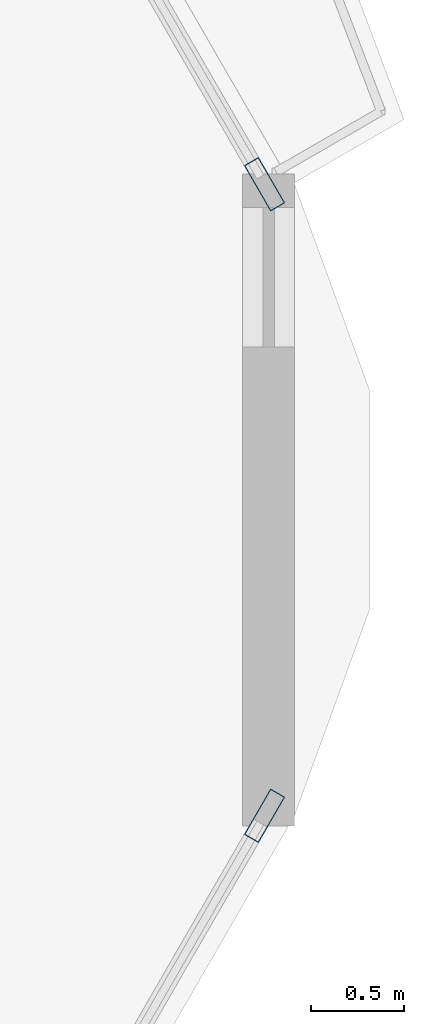
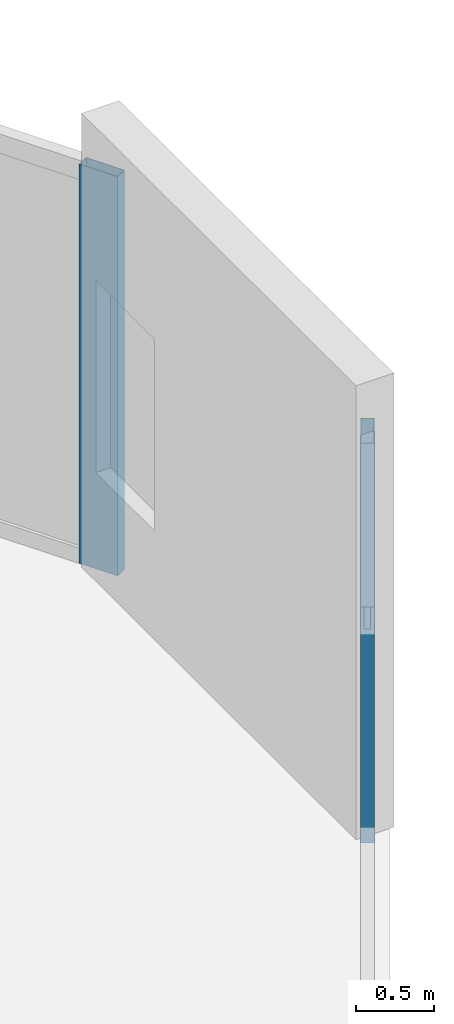
# One storey, part 19 of 29: 2 members, 2 elements without a shape of their own.
"""IFC4 building model written with IfcOpenShell, lengths in metres."""

from ifc_helpers import new_model, si_unit, direction, frame, origin, origin_2d, place, context, subcontext, project, spatial, hollow_rectangle, extrude, material, material_profile, profile_set, type_object, element, aggregate, save


model = new_model("IFC4")

# Units and contexts
model_context = context("Model", 3, precision=1e-05, world=origin(), true_north=direction((0.0, 1.0)))
body_context = subcontext(model_context, "Body", "Model", "MODEL_VIEW")
ifc_project = project(units=[si_unit("LENGTHUNIT", "METRE"), si_unit("AREAUNIT", "SQUARE_METRE"), si_unit("VOLUMEUNIT", "CUBIC_METRE"), si_unit("PLANEANGLEUNIT", "RADIAN"), si_unit("MASSUNIT", "GRAM", prefix="KILO")], contexts=[model_context])

# Site, building, storey
site_placement = place(None, origin())
site = spatial("IfcSite", under=ifc_project, at=site_placement, CompositionType="ELEMENT")
building_placement = place(site_placement, origin())
building = spatial("IfcBuilding", under=site, at=building_placement, Name="Zuhravey Tower", CompositionType="ELEMENT")
storey_placement = place(building_placement, frame((0.0, 0.0, 134.199951171875)))
storey = spatial("IfcBuildingStorey", under=building, at=storey_placement, Name="L33", CompositionType="ELEMENT", Elevation=134.199951171875)

# Curtain wall, member
ifc_material_1 = material(Name="Thermally broken anodised aluminium", Category="aluminium")
curtain_wall_type = type_object("IfcCurtainWallType", Name="Zone 1-2 Residential Curtain Wall CW3", PredefinedType="NOTDEFINED", material=ifc_material_1)
curtain_wall_1_placement = place(storey_placement, origin())
curtain_wall_1 = element("IfcCurtainWall", 1, at=curtain_wall_1_placement, inside=storey, type_object=curtain_wall_type, Name="L33 CW3 CW-L33-F6-1", PredefinedType="NOTDEFINED")
ifc_material_2 = material(Name="Anodised aluminium", Category="aluminium")
ifc_material_profile = material_profile(ifc_material_2, hollow_rectangle(XDim=0.090087890625, YDim=0.284912109375, WallThickness=0.0048828125, at=origin_2d()), Name="ALU-RHS-90x285x5")
ifc_profile_set = profile_set([ifc_material_profile], Name="Anodised aluminium")
member_type = type_object("IfcMemberType", Name="Curtain-Wall Mullion 90x180", PredefinedType="MULLION", material=ifc_profile_set)
member_1_placement = place(storey_placement, frame((68.4560546875, 30.298583984375, 0.0), z_axis=(0.0, 0.0, 1.0), x_axis=(0.86602552265, -0.499999794119, 0.0)))
member_1 = element("IfcMember", 2, at=member_1_placement, type_object=member_type, Name="CW3 mullion 1", PredefinedType="MULLION", context=body_context, shape_type="SweptSolid", body=[
    extrude(hollow_rectangle(XDim=0.090087890625, YDim=0.284912109375, WallThickness=0.0048828125, at=origin_2d()), origin(), (0.0, 0.0, 1.0), 3.1220703125),
])
aggregate(curtain_wall_1, [member_1])

curtain_wall_2_placement = place(storey_placement, origin())
curtain_wall_2 = element("IfcCurtainWall", 3, at=curtain_wall_2_placement, inside=storey, type_object=curtain_wall_type, Name="L33 CW3 CW-L33-F1-2", PredefinedType="NOTDEFINED")
member_2_placement = place(storey_placement, frame((68.4560546875, 33.701416015625, 0.0), z_axis=(0.0, 0.0, 1.0), x_axis=(0.866022341509, 0.500005303978, 0.0)))
member_2 = element("IfcMember", 4, at=member_2_placement, type_object=member_type, Name="CW3 mullion 2", PredefinedType="MULLION", context=body_context, shape_type="SweptSolid", body=[
    extrude(hollow_rectangle(XDim=0.090087890625, YDim=0.284912109375, WallThickness=0.0048828125, at=origin_2d()), origin(), (0.0, 0.0, 1.0), 3.1220703125),
])
aggregate(curtain_wall_2, [member_2])

save(model, "model.ifc")
